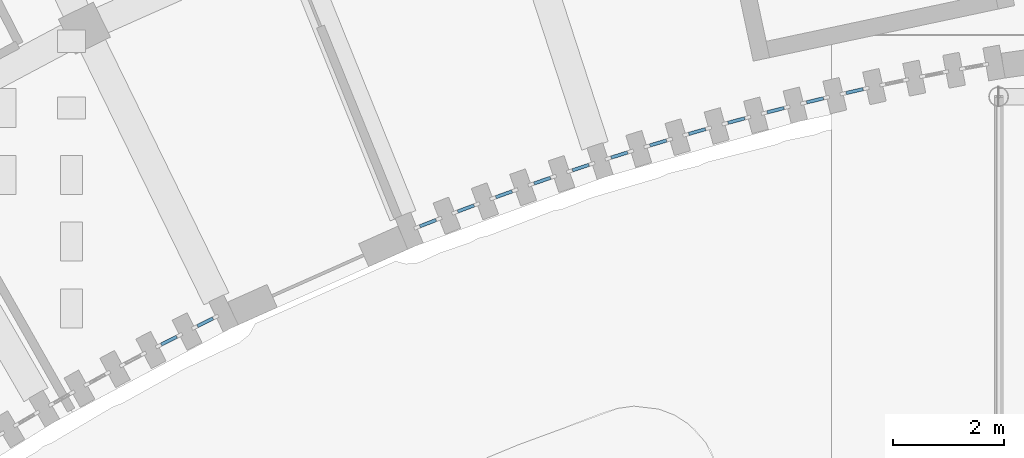
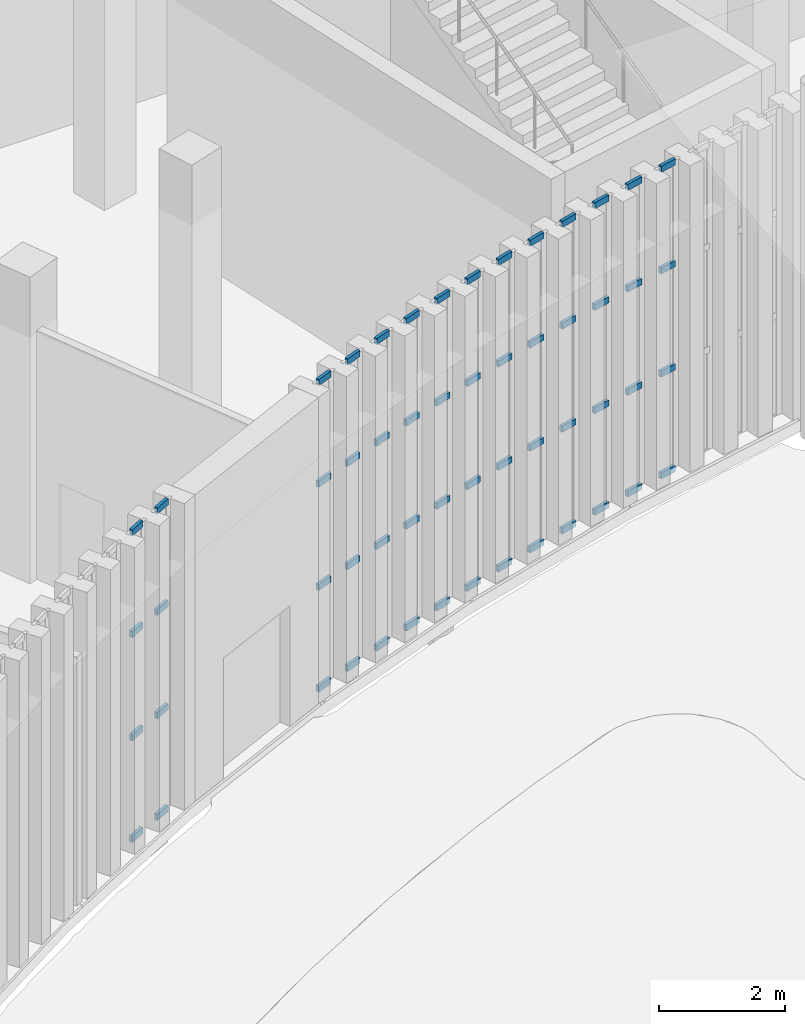
# One storey, part 66 of 155: 56 members, 14 elements without a shape of their own.
"""IFC4 building model written with IfcOpenShell, lengths in metres."""

from ifc_helpers import new_model, si_unit, direction, frame, origin, origin_2d, place, context, subcontext, project, spatial, rectangle, extrude, material, layer, layer_set, material_profile, profile_set, type_object, element, aggregate, save


model = new_model("IFC4")

# Units and contexts
model_context = context("Model", 3, precision=1e-05, world=origin(), true_north=direction((0.0, 1.0)))
body_context = subcontext(model_context, "Body", "Model", "MODEL_VIEW")
ifc_project = project(units=[si_unit("LENGTHUNIT", "METRE"), si_unit("AREAUNIT", "SQUARE_METRE"), si_unit("VOLUMEUNIT", "CUBIC_METRE"), si_unit("PLANEANGLEUNIT", "RADIAN"), si_unit("MASSUNIT", "GRAM", prefix="KILO")], contexts=[model_context])

# Site, building, storey
site_placement = place(None, origin())
site = spatial("IfcSite", under=ifc_project, at=site_placement, CompositionType="ELEMENT")
building_placement = place(site_placement, origin())
building = spatial("IfcBuilding", under=site, at=building_placement, Name="Lunette Opera House", CompositionType="ELEMENT")
storey_placement = place(building_placement, origin())
storey = spatial("IfcBuildingStorey", under=building, at=storey_placement, Name="L00", CompositionType="ELEMENT", Elevation=0.0)

# Curtain wall, members
ifc_material_1 = material(Name="Aluminium", Category="aluminium")
ifc_layer = layer(ifc_material_1, 0.1201171875)
ifc_layer_set = layer_set([ifc_layer], Name="Aluminium")
curtain_wall_type = type_object("IfcCurtainWallType", Name="SLOT CURTAIN WALL", PredefinedType="NOTDEFINED", material=ifc_layer_set)
curtain_wall_1_placement = place(storey_placement, origin())
curtain_wall_1 = element("IfcCurtainWall", 1, at=curtain_wall_1_placement, inside=storey, type_object=curtain_wall_type, Name="Slot Curtain Wall CS019 L00", PredefinedType="NOTDEFINED")
ifc_material_2 = material(Name="Aluminium", Category="aluminium")
ifc_material_profile = material_profile(ifc_material_2, rectangle(XDim=0.06005859375, YDim=0.1201171875, at=origin_2d()), Name="TRANSOM 60 X 120")
ifc_profile_set = profile_set([ifc_material_profile], Name="Aluminium")
member_type = type_object("IfcMemberType", Name="TRANSOM 60 X 120", PredefinedType="USERDEFINED", material=ifc_profile_set)
member_1_placement = place(storey_placement, frame((71.956298828125, 46.4453125, 0.030029296875), z_axis=(0.889644962641, 0.456652866462, 0.0), x_axis=(-0.456652866462, 0.889644962641, 0.0)))
member_1 = element("IfcMember", 2, at=member_1_placement, type_object=member_type, Name="FC-X2037 transom 1.1", ObjectType="TRANSOM", PredefinedType="USERDEFINED", context=body_context, shape_type="SweptSolid", body=[
    extrude(rectangle(XDim=0.06005859375, YDim=0.1201171875, at=origin_2d()), origin(), (0.0, 0.0, 1.0), 0.3095703125),
])
member_2_placement = place(storey_placement, frame((71.956298828125, 46.4453125, 2.0), z_axis=(0.889644962641, 0.456652866462, 0.0), x_axis=(-0.456652866462, 0.889644962641, 0.0)))
member_2 = element("IfcMember", 3, at=member_2_placement, type_object=member_type, Name="FC-X2037 transom 1.2", ObjectType="TRANSOM", PredefinedType="USERDEFINED", context=body_context, shape_type="SweptSolid", body=[
    extrude(rectangle(XDim=0.06005859375, YDim=0.1201171875, at=origin_2d()), origin(), (0.0, 0.0, 1.0), 0.3095703125),
])
member_3_placement = place(storey_placement, frame((71.956298828125, 46.4453125, 4.0), z_axis=(0.889644962641, 0.456652866462, 0.0), x_axis=(-0.456652866462, 0.889644962641, 0.0)))
member_3 = element("IfcMember", 4, at=member_3_placement, type_object=member_type, Name="FC-X2037 transom 1.3", ObjectType="TRANSOM", PredefinedType="USERDEFINED", context=body_context, shape_type="SweptSolid", body=[
    extrude(rectangle(XDim=0.06005859375, YDim=0.1201171875, at=origin_2d()), origin(), (0.0, 0.0, 1.0), 0.3095703125),
])
member_4_placement = place(storey_placement, frame((71.956298828125, 46.4453125, 5.969970703125), z_axis=(0.889644962641, 0.456652866462, 0.0), x_axis=(-0.456652866462, 0.889644962641, 0.0)))
member_4 = element("IfcMember", 5, at=member_4_placement, type_object=member_type, Name="FC-X2037 transom 1.4", ObjectType="TRANSOM", PredefinedType="USERDEFINED", context=body_context, shape_type="SweptSolid", body=[
    extrude(rectangle(XDim=0.06005859375, YDim=0.1201171875, at=origin_2d()), origin(), (0.0, 0.0, 1.0), 0.3095703125),
])
aggregate(curtain_wall_1, [member_1, member_2, member_3, member_4])

curtain_wall_2_placement = place(storey_placement, origin())
curtain_wall_2 = element("IfcCurtainWall", 6, at=curtain_wall_2_placement, inside=storey, type_object=curtain_wall_type, Name="Slot Curtain Wall CS020 L00", PredefinedType="NOTDEFINED")
member_5_placement = place(storey_placement, frame((72.606689453125, 46.776611328125, 0.030029296875), z_axis=(0.895840911293, 0.444374911143, 0.0), x_axis=(-0.444374911143, 0.895840911293, 0.0)))
member_5 = element("IfcMember", 7, at=member_5_placement, type_object=member_type, Name="FC-X2039 transom 1.1", ObjectType="TRANSOM", PredefinedType="USERDEFINED", context=body_context, shape_type="SweptSolid", body=[
    extrude(rectangle(XDim=0.06005859375, YDim=0.1201171875, at=origin_2d()), origin(), (0.0, 0.0, 1.0), 0.309814453125),
])
member_6_placement = place(storey_placement, frame((72.606689453125, 46.776611328125, 2.0), z_axis=(0.895840911293, 0.444374911143, 0.0), x_axis=(-0.444374911143, 0.895840911293, 0.0)))
member_6 = element("IfcMember", 8, at=member_6_placement, type_object=member_type, Name="FC-X2039 transom 1.2", ObjectType="TRANSOM", PredefinedType="USERDEFINED", context=body_context, shape_type="SweptSolid", body=[
    extrude(rectangle(XDim=0.06005859375, YDim=0.1201171875, at=origin_2d()), origin(), (0.0, 0.0, 1.0), 0.309814453125),
])
member_7_placement = place(storey_placement, frame((72.606689453125, 46.776611328125, 4.0), z_axis=(0.895840911293, 0.444374911143, 0.0), x_axis=(-0.444374911143, 0.895840911293, 0.0)))
member_7 = element("IfcMember", 9, at=member_7_placement, type_object=member_type, Name="FC-X2039 transom 1.3", ObjectType="TRANSOM", PredefinedType="USERDEFINED", context=body_context, shape_type="SweptSolid", body=[
    extrude(rectangle(XDim=0.06005859375, YDim=0.1201171875, at=origin_2d()), origin(), (0.0, 0.0, 1.0), 0.309814453125),
])
member_8_placement = place(storey_placement, frame((72.606689453125, 46.776611328125, 5.969970703125), z_axis=(0.895840911293, 0.444374911143, 0.0), x_axis=(-0.444374911143, 0.895840911293, 0.0)))
member_8 = element("IfcMember", 10, at=member_8_placement, type_object=member_type, Name="FC-X2039 transom 1.4", ObjectType="TRANSOM", PredefinedType="USERDEFINED", context=body_context, shape_type="SweptSolid", body=[
    extrude(rectangle(XDim=0.06005859375, YDim=0.1201171875, at=origin_2d()), origin(), (0.0, 0.0, 1.0), 0.309814453125),
])
aggregate(curtain_wall_2, [member_5, member_6, member_7, member_8])

curtain_wall_3_placement = place(storey_placement, origin())
curtain_wall_3 = element("IfcCurtainWall", 11, at=curtain_wall_3_placement, inside=storey, type_object=curtain_wall_type, Name="Slot Curtain Wall CS021 L00", PredefinedType="NOTDEFINED")
member_9_placement = place(storey_placement, frame((76.602783203125, 48.570068359375, 0.030029296875), z_axis=(0.93020476491, 0.367040999533, 0.0), x_axis=(-0.367040999533, 0.93020476491, 0.0)))
member_9 = element("IfcMember", 12, at=member_9_placement, type_object=member_type, Name="FC-X2041 transom 1.1", ObjectType="TRANSOM", PredefinedType="USERDEFINED", context=body_context, shape_type="SweptSolid", body=[
    extrude(rectangle(XDim=0.06005859375, YDim=0.1201171875, at=origin_2d()), origin(), (0.0, 0.0, 1.0), 0.31005859375),
])
member_10_placement = place(storey_placement, frame((76.602783203125, 48.570068359375, 2.0), z_axis=(0.93020476491, 0.367040999533, 0.0), x_axis=(-0.367040999533, 0.93020476491, 0.0)))
member_10 = element("IfcMember", 13, at=member_10_placement, type_object=member_type, Name="FC-X2041 transom 1.2", ObjectType="TRANSOM", PredefinedType="USERDEFINED", context=body_context, shape_type="SweptSolid", body=[
    extrude(rectangle(XDim=0.06005859375, YDim=0.1201171875, at=origin_2d()), origin(), (0.0, 0.0, 1.0), 0.31005859375),
])
member_11_placement = place(storey_placement, frame((76.602783203125, 48.570068359375, 4.0), z_axis=(0.93020476491, 0.367040999533, 0.0), x_axis=(-0.367040999533, 0.93020476491, 0.0)))
member_11 = element("IfcMember", 14, at=member_11_placement, type_object=member_type, Name="FC-X2041 transom 1.3", ObjectType="TRANSOM", PredefinedType="USERDEFINED", context=body_context, shape_type="SweptSolid", body=[
    extrude(rectangle(XDim=0.06005859375, YDim=0.1201171875, at=origin_2d()), origin(), (0.0, 0.0, 1.0), 0.31005859375),
])
member_12_placement = place(storey_placement, frame((76.602783203125, 48.570068359375, 5.969970703125), z_axis=(0.93020476491, 0.367040999533, 0.0), x_axis=(-0.367040999533, 0.93020476491, 0.0)))
member_12 = element("IfcMember", 15, at=member_12_placement, type_object=member_type, Name="FC-X2041 transom 1.4", ObjectType="TRANSOM", PredefinedType="USERDEFINED", context=body_context, shape_type="SweptSolid", body=[
    extrude(rectangle(XDim=0.06005859375, YDim=0.1201171875, at=origin_2d()), origin(), (0.0, 0.0, 1.0), 0.31005859375),
])
aggregate(curtain_wall_3, [member_9, member_10, member_11, member_12])

curtain_wall_4_placement = place(storey_placement, origin())
curtain_wall_4 = element("IfcCurtainWall", 16, at=curtain_wall_4_placement, inside=storey, type_object=curtain_wall_type, Name="Slot Curtain Wall CS022 L00", PredefinedType="NOTDEFINED")
member_13_placement = place(storey_placement, frame((77.283203125, 48.836181640625, 0.030029296875), z_axis=(0.935321497524, 0.353798948937, 0.0), x_axis=(-0.353798948937, 0.935321497524, 0.0)))
member_13 = element("IfcMember", 17, at=member_13_placement, type_object=member_type, Name="FC-X2043 transom 1.1", ObjectType="TRANSOM", PredefinedType="USERDEFINED", context=body_context, shape_type="SweptSolid", body=[
    extrude(rectangle(XDim=0.06005859375, YDim=0.1201171875, at=origin_2d()), origin(), (0.0, 0.0, 1.0), 0.309814453125),
])
member_14_placement = place(storey_placement, frame((77.283203125, 48.836181640625, 2.0), z_axis=(0.935321497524, 0.353798948937, 0.0), x_axis=(-0.353798948937, 0.935321497524, 0.0)))
member_14 = element("IfcMember", 18, at=member_14_placement, type_object=member_type, Name="FC-X2043 transom 1.2", ObjectType="TRANSOM", PredefinedType="USERDEFINED", context=body_context, shape_type="SweptSolid", body=[
    extrude(rectangle(XDim=0.06005859375, YDim=0.1201171875, at=origin_2d()), origin(), (0.0, 0.0, 1.0), 0.309814453125),
])
member_15_placement = place(storey_placement, frame((77.283203125, 48.836181640625, 4.0), z_axis=(0.935321497524, 0.353798948937, 0.0), x_axis=(-0.353798948937, 0.935321497524, 0.0)))
member_15 = element("IfcMember", 19, at=member_15_placement, type_object=member_type, Name="FC-X2043 transom 1.3", ObjectType="TRANSOM", PredefinedType="USERDEFINED", context=body_context, shape_type="SweptSolid", body=[
    extrude(rectangle(XDim=0.06005859375, YDim=0.1201171875, at=origin_2d()), origin(), (0.0, 0.0, 1.0), 0.309814453125),
])
member_16_placement = place(storey_placement, frame((77.283203125, 48.836181640625, 5.969970703125), z_axis=(0.935321497524, 0.353798948937, 0.0), x_axis=(-0.353798948937, 0.935321497524, 0.0)))
member_16 = element("IfcMember", 20, at=member_16_placement, type_object=member_type, Name="FC-X2043 transom 1.4", ObjectType="TRANSOM", PredefinedType="USERDEFINED", context=body_context, shape_type="SweptSolid", body=[
    extrude(rectangle(XDim=0.06005859375, YDim=0.1201171875, at=origin_2d()), origin(), (0.0, 0.0, 1.0), 0.309814453125),
])
aggregate(curtain_wall_4, [member_13, member_14, member_15, member_16])

curtain_wall_5_placement = place(storey_placement, origin())
curtain_wall_5 = element("IfcCurtainWall", 21, at=curtain_wall_5_placement, inside=storey, type_object=curtain_wall_type, Name="Slot Curtain Wall CS023 L00", PredefinedType="NOTDEFINED")
member_17_placement = place(storey_placement, frame((77.96630859375, 49.092529296875, 0.030029296875), z_axis=(0.940114044895, 0.340860063062, 0.0), x_axis=(-0.340860063062, 0.940114044895, 0.0)))
member_17 = element("IfcMember", 22, at=member_17_placement, type_object=member_type, Name="FC-X2045 transom 1.1", ObjectType="TRANSOM", PredefinedType="USERDEFINED", context=body_context, shape_type="SweptSolid", body=[
    extrude(rectangle(XDim=0.06005859375, YDim=0.1201171875, at=origin_2d()), origin(), (0.0, 0.0, 1.0), 0.310791015625),
])
member_18_placement = place(storey_placement, frame((77.96630859375, 49.092529296875, 2.0), z_axis=(0.940114044895, 0.340860063062, 0.0), x_axis=(-0.340860063062, 0.940114044895, 0.0)))
member_18 = element("IfcMember", 23, at=member_18_placement, type_object=member_type, Name="FC-X2045 transom 1.2", ObjectType="TRANSOM", PredefinedType="USERDEFINED", context=body_context, shape_type="SweptSolid", body=[
    extrude(rectangle(XDim=0.06005859375, YDim=0.1201171875, at=origin_2d()), origin(), (0.0, 0.0, 1.0), 0.310791015625),
])
member_19_placement = place(storey_placement, frame((77.96630859375, 49.092529296875, 4.0), z_axis=(0.940114044895, 0.340860063062, 0.0), x_axis=(-0.340860063062, 0.940114044895, 0.0)))
member_19 = element("IfcMember", 24, at=member_19_placement, type_object=member_type, Name="FC-X2045 transom 1.3", ObjectType="TRANSOM", PredefinedType="USERDEFINED", context=body_context, shape_type="SweptSolid", body=[
    extrude(rectangle(XDim=0.06005859375, YDim=0.1201171875, at=origin_2d()), origin(), (0.0, 0.0, 1.0), 0.310791015625),
])
member_20_placement = place(storey_placement, frame((77.96630859375, 49.092529296875, 5.969970703125), z_axis=(0.940114044895, 0.340860063062, 0.0), x_axis=(-0.340860063062, 0.940114044895, 0.0)))
member_20 = element("IfcMember", 25, at=member_20_placement, type_object=member_type, Name="FC-X2045 transom 1.4", ObjectType="TRANSOM", PredefinedType="USERDEFINED", context=body_context, shape_type="SweptSolid", body=[
    extrude(rectangle(XDim=0.06005859375, YDim=0.1201171875, at=origin_2d()), origin(), (0.0, 0.0, 1.0), 0.310791015625),
])
aggregate(curtain_wall_5, [member_17, member_18, member_19, member_20])

curtain_wall_6_placement = place(storey_placement, origin())
curtain_wall_6 = element("IfcCurtainWall", 26, at=curtain_wall_6_placement, inside=storey, type_object=curtain_wall_type, Name="Slot Curtain Wall CS024 L00", PredefinedType="NOTDEFINED")
member_21_placement = place(storey_placement, frame((78.65380859375, 49.339599609375, 0.030029296875), z_axis=(0.944761579041, 0.327758384742, 0.0), x_axis=(-0.327758384742, 0.944761579041, 0.0)))
member_21 = element("IfcMember", 27, at=member_21_placement, type_object=member_type, Name="FC-X2047 transom 1.1", ObjectType="TRANSOM", PredefinedType="USERDEFINED", context=body_context, shape_type="SweptSolid", body=[
    extrude(rectangle(XDim=0.06005859375, YDim=0.1201171875, at=origin_2d()), origin(), (0.0, 0.0, 1.0), 0.310546875),
])
member_22_placement = place(storey_placement, frame((78.65380859375, 49.339599609375, 2.0), z_axis=(0.944761579041, 0.327758384742, 0.0), x_axis=(-0.327758384742, 0.944761579041, 0.0)))
member_22 = element("IfcMember", 28, at=member_22_placement, type_object=member_type, Name="FC-X2047 transom 1.2", ObjectType="TRANSOM", PredefinedType="USERDEFINED", context=body_context, shape_type="SweptSolid", body=[
    extrude(rectangle(XDim=0.06005859375, YDim=0.1201171875, at=origin_2d()), origin(), (0.0, 0.0, 1.0), 0.310546875),
])
member_23_placement = place(storey_placement, frame((78.65380859375, 49.339599609375, 4.0), z_axis=(0.944761579041, 0.327758384742, 0.0), x_axis=(-0.327758384742, 0.944761579041, 0.0)))
member_23 = element("IfcMember", 29, at=member_23_placement, type_object=member_type, Name="FC-X2047 transom 1.3", ObjectType="TRANSOM", PredefinedType="USERDEFINED", context=body_context, shape_type="SweptSolid", body=[
    extrude(rectangle(XDim=0.06005859375, YDim=0.1201171875, at=origin_2d()), origin(), (0.0, 0.0, 1.0), 0.310546875),
])
member_24_placement = place(storey_placement, frame((78.65380859375, 49.339599609375, 5.969970703125), z_axis=(0.944761579041, 0.327758384742, 0.0), x_axis=(-0.327758384742, 0.944761579041, 0.0)))
member_24 = element("IfcMember", 30, at=member_24_placement, type_object=member_type, Name="FC-X2047 transom 1.4", ObjectType="TRANSOM", PredefinedType="USERDEFINED", context=body_context, shape_type="SweptSolid", body=[
    extrude(rectangle(XDim=0.06005859375, YDim=0.1201171875, at=origin_2d()), origin(), (0.0, 0.0, 1.0), 0.310546875),
])
aggregate(curtain_wall_6, [member_21, member_22, member_23, member_24])

curtain_wall_7_placement = place(storey_placement, origin())
curtain_wall_7 = element("IfcCurtainWall", 31, at=curtain_wall_7_placement, inside=storey, type_object=curtain_wall_type, Name="Slot Curtain Wall CS025 L00", PredefinedType="NOTDEFINED")
member_25_placement = place(storey_placement, frame((79.344970703125, 49.576904296875, 0.030029296875), z_axis=(0.948604546286, 0.316463923325, 0.0), x_axis=(-0.316463923325, 0.948604546286, 0.0)))
member_25 = element("IfcMember", 32, at=member_25_placement, type_object=member_type, Name="FC-X2049 transom 1.1", ObjectType="TRANSOM", PredefinedType="USERDEFINED", context=body_context, shape_type="SweptSolid", body=[
    extrude(rectangle(XDim=0.06005859375, YDim=0.1201171875, at=origin_2d()), origin(), (0.0, 0.0, 1.0), 0.31005859375),
])
member_26_placement = place(storey_placement, frame((79.344970703125, 49.576904296875, 2.0), z_axis=(0.948604546286, 0.316463923325, 0.0), x_axis=(-0.316463923325, 0.948604546286, 0.0)))
member_26 = element("IfcMember", 33, at=member_26_placement, type_object=member_type, Name="FC-X2049 transom 1.2", ObjectType="TRANSOM", PredefinedType="USERDEFINED", context=body_context, shape_type="SweptSolid", body=[
    extrude(rectangle(XDim=0.06005859375, YDim=0.1201171875, at=origin_2d()), origin(), (0.0, 0.0, 1.0), 0.31005859375),
])
member_27_placement = place(storey_placement, frame((79.344970703125, 49.576904296875, 4.0), z_axis=(0.948604546286, 0.316463923325, 0.0), x_axis=(-0.316463923325, 0.948604546286, 0.0)))
member_27 = element("IfcMember", 34, at=member_27_placement, type_object=member_type, Name="FC-X2049 transom 1.3", ObjectType="TRANSOM", PredefinedType="USERDEFINED", context=body_context, shape_type="SweptSolid", body=[
    extrude(rectangle(XDim=0.06005859375, YDim=0.1201171875, at=origin_2d()), origin(), (0.0, 0.0, 1.0), 0.31005859375),
])
member_28_placement = place(storey_placement, frame((79.344970703125, 49.576904296875, 5.969970703125), z_axis=(0.948604546286, 0.316463923325, 0.0), x_axis=(-0.316463923325, 0.948604546286, 0.0)))
member_28 = element("IfcMember", 35, at=member_28_placement, type_object=member_type, Name="FC-X2049 transom 1.4", ObjectType="TRANSOM", PredefinedType="USERDEFINED", context=body_context, shape_type="SweptSolid", body=[
    extrude(rectangle(XDim=0.06005859375, YDim=0.1201171875, at=origin_2d()), origin(), (0.0, 0.0, 1.0), 0.31005859375),
])
aggregate(curtain_wall_7, [member_25, member_26, member_27, member_28])

curtain_wall_8_placement = place(storey_placement, origin())
curtain_wall_8 = element("IfcCurtainWall", 36, at=curtain_wall_8_placement, inside=storey, type_object=curtain_wall_type, Name="Slot Curtain Wall CS026 L00", PredefinedType="NOTDEFINED")
member_29_placement = place(storey_placement, frame((80.0380859375, 49.80419921875, 0.030029296875), z_axis=(0.953225106294, 0.302261305381, 0.0), x_axis=(-0.302261305381, 0.953225106294, 0.0)))
member_29 = element("IfcMember", 37, at=member_29_placement, type_object=member_type, Name="FC-X2051 transom 1.1", ObjectType="TRANSOM", PredefinedType="USERDEFINED", context=body_context, shape_type="SweptSolid", body=[
    extrude(rectangle(XDim=0.06005859375, YDim=0.1201171875, at=origin_2d()), origin(), (0.0, 0.0, 1.0), 0.31005859375),
])
member_30_placement = place(storey_placement, frame((80.0380859375, 49.80419921875, 2.0), z_axis=(0.953225106294, 0.302261305381, 0.0), x_axis=(-0.302261305381, 0.953225106294, 0.0)))
member_30 = element("IfcMember", 38, at=member_30_placement, type_object=member_type, Name="FC-X2051 transom 1.2", ObjectType="TRANSOM", PredefinedType="USERDEFINED", context=body_context, shape_type="SweptSolid", body=[
    extrude(rectangle(XDim=0.06005859375, YDim=0.1201171875, at=origin_2d()), origin(), (0.0, 0.0, 1.0), 0.31005859375),
])
member_31_placement = place(storey_placement, frame((80.0380859375, 49.80419921875, 4.0), z_axis=(0.953225106294, 0.302261305381, 0.0), x_axis=(-0.302261305381, 0.953225106294, 0.0)))
member_31 = element("IfcMember", 39, at=member_31_placement, type_object=member_type, Name="FC-X2051 transom 1.3", ObjectType="TRANSOM", PredefinedType="USERDEFINED", context=body_context, shape_type="SweptSolid", body=[
    extrude(rectangle(XDim=0.06005859375, YDim=0.1201171875, at=origin_2d()), origin(), (0.0, 0.0, 1.0), 0.31005859375),
])
member_32_placement = place(storey_placement, frame((80.0380859375, 49.80419921875, 5.969970703125), z_axis=(0.953225106294, 0.302261305381, 0.0), x_axis=(-0.302261305381, 0.953225106294, 0.0)))
member_32 = element("IfcMember", 40, at=member_32_placement, type_object=member_type, Name="FC-X2051 transom 1.4", ObjectType="TRANSOM", PredefinedType="USERDEFINED", context=body_context, shape_type="SweptSolid", body=[
    extrude(rectangle(XDim=0.06005859375, YDim=0.1201171875, at=origin_2d()), origin(), (0.0, 0.0, 1.0), 0.31005859375),
])
aggregate(curtain_wall_8, [member_29, member_30, member_31, member_32])

curtain_wall_9_placement = place(storey_placement, origin())
curtain_wall_9 = element("IfcCurtainWall", 41, at=curtain_wall_9_placement, inside=storey, type_object=curtain_wall_type, Name="Slot Curtain Wall CS027 L00", PredefinedType="NOTDEFINED")
member_33_placement = place(storey_placement, frame((80.7353515625, 50.0224609375, 0.030029296875), z_axis=(0.956978097931, 0.290160162807, 0.0), x_axis=(-0.290160162807, 0.956978097931, 0.0)))
member_33 = element("IfcMember", 42, at=member_33_placement, type_object=member_type, Name="FC-X2053 transom 1.1", ObjectType="TRANSOM", PredefinedType="USERDEFINED", context=body_context, shape_type="SweptSolid", body=[
    extrude(rectangle(XDim=0.06005859375, YDim=0.1201171875, at=origin_2d()), origin(), (0.0, 0.0, 1.0), 0.310546875),
])
member_34_placement = place(storey_placement, frame((80.7353515625, 50.0224609375, 2.0), z_axis=(0.956978097931, 0.290160162807, 0.0), x_axis=(-0.290160162807, 0.956978097931, 0.0)))
member_34 = element("IfcMember", 43, at=member_34_placement, type_object=member_type, Name="FC-X2053 transom 1.2", ObjectType="TRANSOM", PredefinedType="USERDEFINED", context=body_context, shape_type="SweptSolid", body=[
    extrude(rectangle(XDim=0.06005859375, YDim=0.1201171875, at=origin_2d()), origin(), (0.0, 0.0, 1.0), 0.310546875),
])
member_35_placement = place(storey_placement, frame((80.7353515625, 50.0224609375, 4.0), z_axis=(0.956978097931, 0.290160162807, 0.0), x_axis=(-0.290160162807, 0.956978097931, 0.0)))
member_35 = element("IfcMember", 44, at=member_35_placement, type_object=member_type, Name="FC-X2053 transom 1.3", ObjectType="TRANSOM", PredefinedType="USERDEFINED", context=body_context, shape_type="SweptSolid", body=[
    extrude(rectangle(XDim=0.06005859375, YDim=0.1201171875, at=origin_2d()), origin(), (0.0, 0.0, 1.0), 0.310546875),
])
member_36_placement = place(storey_placement, frame((80.7353515625, 50.0224609375, 5.969970703125), z_axis=(0.956978097931, 0.290160162807, 0.0), x_axis=(-0.290160162807, 0.956978097931, 0.0)))
member_36 = element("IfcMember", 45, at=member_36_placement, type_object=member_type, Name="FC-X2053 transom 1.4", ObjectType="TRANSOM", PredefinedType="USERDEFINED", context=body_context, shape_type="SweptSolid", body=[
    extrude(rectangle(XDim=0.06005859375, YDim=0.1201171875, at=origin_2d()), origin(), (0.0, 0.0, 1.0), 0.310546875),
])
aggregate(curtain_wall_9, [member_33, member_34, member_35, member_36])

curtain_wall_10_placement = place(storey_placement, origin())
curtain_wall_10 = element("IfcCurtainWall", 46, at=curtain_wall_10_placement, inside=storey, type_object=curtain_wall_type, Name="Slot Curtain Wall CS028 L00", PredefinedType="NOTDEFINED")
member_37_placement = place(storey_placement, frame((81.4345703125, 50.23046875, 0.030029296875), z_axis=(0.96104845095, 0.276379946679, 0.0), x_axis=(-0.276379946679, 0.96104845095, 0.0)))
member_37 = element("IfcMember", 47, at=member_37_placement, type_object=member_type, Name="FC-X2055 transom 1.1", ObjectType="TRANSOM", PredefinedType="USERDEFINED", context=body_context, shape_type="SweptSolid", body=[
    extrude(rectangle(XDim=0.06005859375, YDim=0.1201171875, at=origin_2d()), origin(), (0.0, 0.0, 1.0), 0.31103515625),
])
member_38_placement = place(storey_placement, frame((81.4345703125, 50.23046875, 2.0), z_axis=(0.96104845095, 0.276379946679, 0.0), x_axis=(-0.276379946679, 0.96104845095, 0.0)))
member_38 = element("IfcMember", 48, at=member_38_placement, type_object=member_type, Name="FC-X2055 transom 1.2", ObjectType="TRANSOM", PredefinedType="USERDEFINED", context=body_context, shape_type="SweptSolid", body=[
    extrude(rectangle(XDim=0.06005859375, YDim=0.1201171875, at=origin_2d()), origin(), (0.0, 0.0, 1.0), 0.31103515625),
])
member_39_placement = place(storey_placement, frame((81.4345703125, 50.23046875, 4.0), z_axis=(0.96104845095, 0.276379946679, 0.0), x_axis=(-0.276379946679, 0.96104845095, 0.0)))
member_39 = element("IfcMember", 49, at=member_39_placement, type_object=member_type, Name="FC-X2055 transom 1.3", ObjectType="TRANSOM", PredefinedType="USERDEFINED", context=body_context, shape_type="SweptSolid", body=[
    extrude(rectangle(XDim=0.06005859375, YDim=0.1201171875, at=origin_2d()), origin(), (0.0, 0.0, 1.0), 0.31103515625),
])
member_40_placement = place(storey_placement, frame((81.4345703125, 50.23046875, 5.969970703125), z_axis=(0.96104845095, 0.276379946679, 0.0), x_axis=(-0.276379946679, 0.96104845095, 0.0)))
member_40 = element("IfcMember", 50, at=member_40_placement, type_object=member_type, Name="FC-X2055 transom 1.4", ObjectType="TRANSOM", PredefinedType="USERDEFINED", context=body_context, shape_type="SweptSolid", body=[
    extrude(rectangle(XDim=0.06005859375, YDim=0.1201171875, at=origin_2d()), origin(), (0.0, 0.0, 1.0), 0.31103515625),
])
aggregate(curtain_wall_10, [member_37, member_38, member_39, member_40])

curtain_wall_11_placement = place(storey_placement, origin())
curtain_wall_11 = element("IfcCurtainWall", 51, at=curtain_wall_11_placement, inside=storey, type_object=curtain_wall_type, Name="Slot Curtain Wall CS029 L00", PredefinedType="NOTDEFINED")
member_41_placement = place(storey_placement, frame((82.137939453125, 50.4296875, 0.030029296875), z_axis=(0.965577695854, 0.260114807863, 0.0), x_axis=(-0.260114807863, 0.965577695854, 0.0)))
member_41 = element("IfcMember", 52, at=member_41_placement, type_object=member_type, Name="FC-X2057 transom 1.1", ObjectType="TRANSOM", PredefinedType="USERDEFINED", context=body_context, shape_type="SweptSolid", body=[
    extrude(rectangle(XDim=0.06005859375, YDim=0.1201171875, at=origin_2d()), origin(), (0.0, 0.0, 1.0), 0.309814453125),
])
member_42_placement = place(storey_placement, frame((82.137939453125, 50.4296875, 2.0), z_axis=(0.965577695854, 0.260114807863, 0.0), x_axis=(-0.260114807863, 0.965577695854, 0.0)))
member_42 = element("IfcMember", 53, at=member_42_placement, type_object=member_type, Name="FC-X2057 transom 1.2", ObjectType="TRANSOM", PredefinedType="USERDEFINED", context=body_context, shape_type="SweptSolid", body=[
    extrude(rectangle(XDim=0.06005859375, YDim=0.1201171875, at=origin_2d()), origin(), (0.0, 0.0, 1.0), 0.309814453125),
])
member_43_placement = place(storey_placement, frame((82.137939453125, 50.4296875, 4.0), z_axis=(0.965577695854, 0.260114807863, 0.0), x_axis=(-0.260114807863, 0.965577695854, 0.0)))
member_43 = element("IfcMember", 54, at=member_43_placement, type_object=member_type, Name="FC-X2057 transom 1.3", ObjectType="TRANSOM", PredefinedType="USERDEFINED", context=body_context, shape_type="SweptSolid", body=[
    extrude(rectangle(XDim=0.06005859375, YDim=0.1201171875, at=origin_2d()), origin(), (0.0, 0.0, 1.0), 0.309814453125),
])
member_44_placement = place(storey_placement, frame((82.137939453125, 50.4296875, 5.969970703125), z_axis=(0.965577695854, 0.260114807863, 0.0), x_axis=(-0.260114807863, 0.965577695854, 0.0)))
member_44 = element("IfcMember", 55, at=member_44_placement, type_object=member_type, Name="FC-X2057 transom 1.4", ObjectType="TRANSOM", PredefinedType="USERDEFINED", context=body_context, shape_type="SweptSolid", body=[
    extrude(rectangle(XDim=0.06005859375, YDim=0.1201171875, at=origin_2d()), origin(), (0.0, 0.0, 1.0), 0.309814453125),
])
aggregate(curtain_wall_11, [member_41, member_42, member_43, member_44])

curtain_wall_12_placement = place(storey_placement, origin())
curtain_wall_12 = element("IfcCurtainWall", 56, at=curtain_wall_12_placement, inside=storey, type_object=curtain_wall_type, Name="Slot Curtain Wall CS030 L00", PredefinedType="NOTDEFINED")
member_45_placement = place(storey_placement, frame((82.843017578125, 50.617919921875, 0.030029296875), z_axis=(0.968644461796, 0.248451014552, 0.0), x_axis=(-0.248451014552, 0.968644461796, 0.0)))
member_45 = element("IfcMember", 57, at=member_45_placement, type_object=member_type, Name="FC-X2059 transom 1.1", ObjectType="TRANSOM", PredefinedType="USERDEFINED", context=body_context, shape_type="SweptSolid", body=[
    extrude(rectangle(XDim=0.06005859375, YDim=0.1201171875, at=origin_2d()), origin(), (0.0, 0.0, 1.0), 0.310546875),
])
member_46_placement = place(storey_placement, frame((82.843017578125, 50.617919921875, 2.0), z_axis=(0.968644461796, 0.248451014552, 0.0), x_axis=(-0.248451014552, 0.968644461796, 0.0)))
member_46 = element("IfcMember", 58, at=member_46_placement, type_object=member_type, Name="FC-X2059 transom 1.2", ObjectType="TRANSOM", PredefinedType="USERDEFINED", context=body_context, shape_type="SweptSolid", body=[
    extrude(rectangle(XDim=0.06005859375, YDim=0.1201171875, at=origin_2d()), origin(), (0.0, 0.0, 1.0), 0.310546875),
])
member_47_placement = place(storey_placement, frame((82.843017578125, 50.617919921875, 4.0), z_axis=(0.968644461796, 0.248451014552, 0.0), x_axis=(-0.248451014552, 0.968644461796, 0.0)))
member_47 = element("IfcMember", 59, at=member_47_placement, type_object=member_type, Name="FC-X2059 transom 1.3", ObjectType="TRANSOM", PredefinedType="USERDEFINED", context=body_context, shape_type="SweptSolid", body=[
    extrude(rectangle(XDim=0.06005859375, YDim=0.1201171875, at=origin_2d()), origin(), (0.0, 0.0, 1.0), 0.310546875),
])
member_48_placement = place(storey_placement, frame((82.843017578125, 50.617919921875, 5.969970703125), z_axis=(0.968644461796, 0.248451014552, 0.0), x_axis=(-0.248451014552, 0.968644461796, 0.0)))
member_48 = element("IfcMember", 60, at=member_48_placement, type_object=member_type, Name="FC-X2059 transom 1.4", ObjectType="TRANSOM", PredefinedType="USERDEFINED", context=body_context, shape_type="SweptSolid", body=[
    extrude(rectangle(XDim=0.06005859375, YDim=0.1201171875, at=origin_2d()), origin(), (0.0, 0.0, 1.0), 0.310546875),
])
aggregate(curtain_wall_12, [member_45, member_46, member_47, member_48])

curtain_wall_13_placement = place(storey_placement, origin())
curtain_wall_13 = element("IfcCurtainWall", 61, at=curtain_wall_13_placement, inside=storey, type_object=curtain_wall_type, Name="Slot Curtain Wall CS031 L00", PredefinedType="NOTDEFINED")
member_49_placement = place(storey_placement, frame((83.55126953125, 50.797119140625, 0.030029296875), z_axis=(0.972100778167, 0.234563588578, 0.0), x_axis=(-0.234563588578, 0.972100778167, 0.0)))
member_49 = element("IfcMember", 62, at=member_49_placement, type_object=member_type, Name="FC-X2061 transom 1.1", ObjectType="TRANSOM", PredefinedType="USERDEFINED", context=body_context, shape_type="SweptSolid", body=[
    extrude(rectangle(XDim=0.06005859375, YDim=0.1201171875, at=origin_2d()), origin(), (0.0, 0.0, 1.0), 0.31005859375),
])
member_50_placement = place(storey_placement, frame((83.55126953125, 50.797119140625, 2.0), z_axis=(0.972100778167, 0.234563588578, 0.0), x_axis=(-0.234563588578, 0.972100778167, 0.0)))
member_50 = element("IfcMember", 63, at=member_50_placement, type_object=member_type, Name="FC-X2061 transom 1.2", ObjectType="TRANSOM", PredefinedType="USERDEFINED", context=body_context, shape_type="SweptSolid", body=[
    extrude(rectangle(XDim=0.06005859375, YDim=0.1201171875, at=origin_2d()), origin(), (0.0, 0.0, 1.0), 0.31005859375),
])
member_51_placement = place(storey_placement, frame((83.55126953125, 50.797119140625, 4.0), z_axis=(0.972100778167, 0.234563588578, 0.0), x_axis=(-0.234563588578, 0.972100778167, 0.0)))
member_51 = element("IfcMember", 64, at=member_51_placement, type_object=member_type, Name="FC-X2061 transom 1.3", ObjectType="TRANSOM", PredefinedType="USERDEFINED", context=body_context, shape_type="SweptSolid", body=[
    extrude(rectangle(XDim=0.06005859375, YDim=0.1201171875, at=origin_2d()), origin(), (0.0, 0.0, 1.0), 0.31005859375),
])
member_52_placement = place(storey_placement, frame((83.55126953125, 50.797119140625, 5.969970703125), z_axis=(0.972100778167, 0.234563588578, 0.0), x_axis=(-0.234563588578, 0.972100778167, 0.0)))
member_52 = element("IfcMember", 65, at=member_52_placement, type_object=member_type, Name="FC-X2061 transom 1.4", ObjectType="TRANSOM", PredefinedType="USERDEFINED", context=body_context, shape_type="SweptSolid", body=[
    extrude(rectangle(XDim=0.06005859375, YDim=0.1201171875, at=origin_2d()), origin(), (0.0, 0.0, 1.0), 0.31005859375),
])
aggregate(curtain_wall_13, [member_49, member_50, member_51, member_52])

curtain_wall_14_placement = place(storey_placement, origin())
curtain_wall_14 = element("IfcCurtainWall", 66, at=curtain_wall_14_placement, inside=storey, type_object=curtain_wall_type, Name="Slot Curtain Wall CS032 L00", PredefinedType="NOTDEFINED")
member_53_placement = place(storey_placement, frame((84.261474609375, 50.96533203125, 0.030029296875), z_axis=(0.974799972142, 0.223080734962, 0.0), x_axis=(-0.223080734962, 0.974799972142, 0.0)))
member_53 = element("IfcMember", 67, at=member_53_placement, type_object=member_type, Name="FC-X2063 transom 1.1", ObjectType="TRANSOM", PredefinedType="USERDEFINED", context=body_context, shape_type="SweptSolid", body=[
    extrude(rectangle(XDim=0.06005859375, YDim=0.1201171875, at=origin_2d()), origin(), (0.0, 0.0, 1.0), 0.310791015625),
])
member_54_placement = place(storey_placement, frame((84.261474609375, 50.96533203125, 2.0), z_axis=(0.974799972142, 0.223080734962, 0.0), x_axis=(-0.223080734962, 0.974799972142, 0.0)))
member_54 = element("IfcMember", 68, at=member_54_placement, type_object=member_type, Name="FC-X2063 transom 1.2", ObjectType="TRANSOM", PredefinedType="USERDEFINED", context=body_context, shape_type="SweptSolid", body=[
    extrude(rectangle(XDim=0.06005859375, YDim=0.1201171875, at=origin_2d()), origin(), (0.0, 0.0, 1.0), 0.310791015625),
])
member_55_placement = place(storey_placement, frame((84.261474609375, 50.96533203125, 4.0), z_axis=(0.974799972142, 0.223080734962, 0.0), x_axis=(-0.223080734962, 0.974799972142, 0.0)))
member_55 = element("IfcMember", 69, at=member_55_placement, type_object=member_type, Name="FC-X2063 transom 1.3", ObjectType="TRANSOM", PredefinedType="USERDEFINED", context=body_context, shape_type="SweptSolid", body=[
    extrude(rectangle(XDim=0.06005859375, YDim=0.1201171875, at=origin_2d()), origin(), (0.0, 0.0, 1.0), 0.310791015625),
])
member_56_placement = place(storey_placement, frame((84.261474609375, 50.96533203125, 5.969970703125), z_axis=(0.974799972142, 0.223080734962, 0.0), x_axis=(-0.223080734962, 0.974799972142, 0.0)))
member_56 = element("IfcMember", 70, at=member_56_placement, type_object=member_type, Name="FC-X2063 transom 1.4", ObjectType="TRANSOM", PredefinedType="USERDEFINED", context=body_context, shape_type="SweptSolid", body=[
    extrude(rectangle(XDim=0.06005859375, YDim=0.1201171875, at=origin_2d()), origin(), (0.0, 0.0, 1.0), 0.310791015625),
])
aggregate(curtain_wall_14, [member_53, member_54, member_55, member_56])

save(model, "model.ifc")
